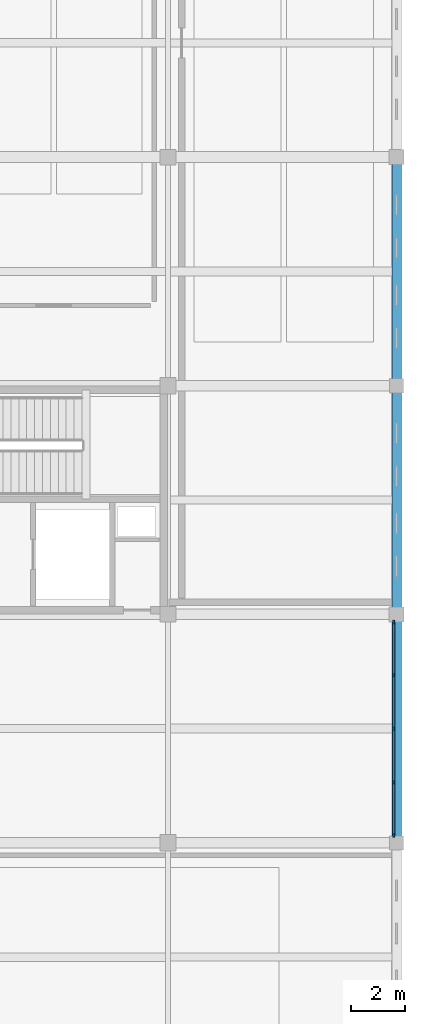
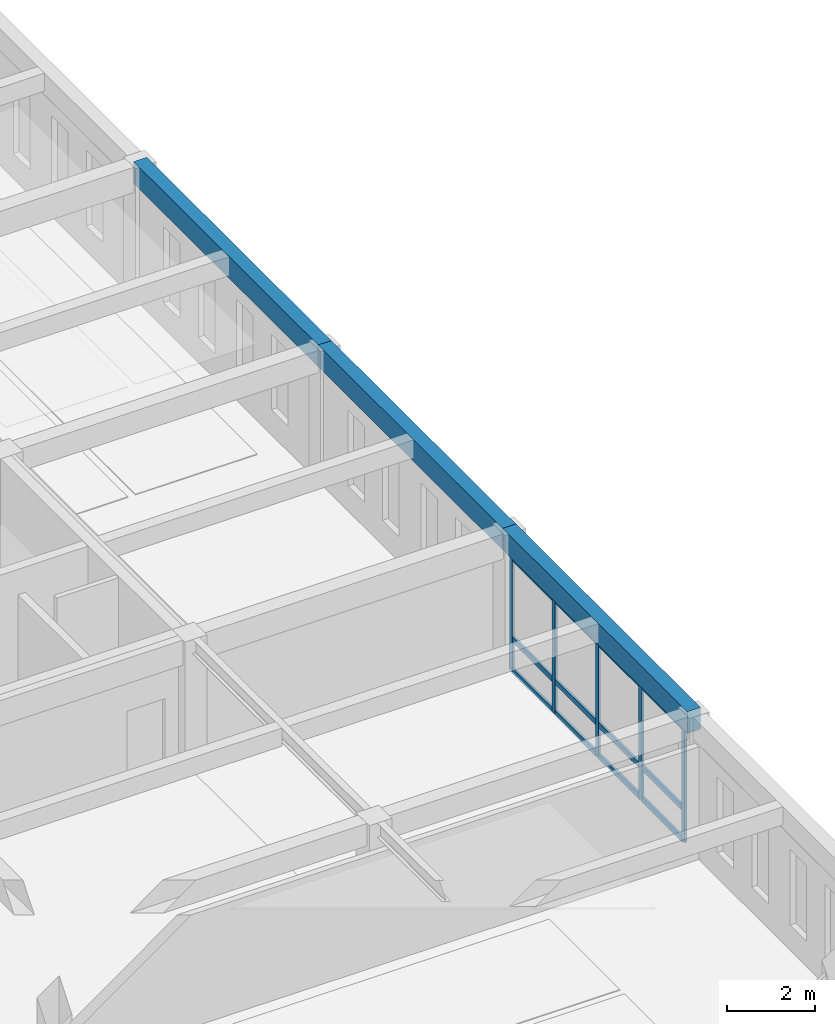
# One storey, part 8 of 56: 17 members, 3 beams, 1 element without a shape of its own.
"""IFC4 building model written with IfcOpenShell, lengths in metres."""

import ifcopenshell
import ifcopenshell.guid

model = None  # the IFC model being written
_history = None  # IfcOwnerHistory: only IFC2X3 demands one
_inside = {}  # id of a spatial element -> (the spatial element, [elements in it])
_under = {}  # id of a project, library or spatial element -> (it, [spatial elements below it])
_declared = {}  # id of a project -> (the project, [libraries it declares])
_typed = {}  # id of a type object -> (the type object, [elements of that type])
_made_of = {}  # id of a material, layer set ... -> (it, [elements and type objects made of it])


def new_model(schema):
    """Start an empty IFC model of exactly this schema.

    Asked for "IFC4X3", IfcOpenShell would pick the latest addendum, in which some entities
    have other attributes; the version numbers below select the first issue.
    IFC2X3 requires an IfcOwnerHistory on every rooted entity: one is made here for all.
    """
    global model, _history
    if schema == "IFC4X3":
        model = ifcopenshell.file(schema_version=(4, 3, 0, 0))
    else:
        model = ifcopenshell.file(schema=schema)
    _inside.clear()
    _under.clear()
    _declared.clear()
    _typed.clear()
    _made_of.clear()
    _history = None
    if model.schema == "IFC2X3":
        org = make("IfcOrganization", Name="unknown")
        user = make(
            "IfcPersonAndOrganization",
            ThePerson=make("IfcPerson", FamilyName="unknown"),
            TheOrganization=org,
        )
        app = make(
            "IfcApplication",
            ApplicationDeveloper=org,
            Version="unknown",
            ApplicationFullName="unknown",
            ApplicationIdentifier="unknown",
        )
        _history = make(
            "IfcOwnerHistory",
            OwningUser=user,
            OwningApplication=app,
            ChangeAction="ADDED",
            CreationDate=0,
        )
    return model


def make(cls, **values):
    """One entity of the class cls with the attributes given. An attribute that is None is left unset."""
    return model.create_entity(
        cls, **{name: value for name, value in values.items() if value is not None}
    )


def rooted(cls, **values):
    """An entity with a GlobalId (a new one), such as an element, a storey or a relation."""
    return make(cls, GlobalId=ifcopenshell.guid.new(), OwnerHistory=_history, **values)


def si_unit(unit_type, name, prefix=None):
    """IfcSIUnit, for example si_unit("LENGTHUNIT", "METRE", prefix="MILLI")."""
    return make("IfcSIUnit", UnitType=unit_type, Prefix=prefix, Name=name)


def assignment(units):
    """IfcUnitAssignment: the units of a project."""
    return None if units is None else make("IfcUnitAssignment", Units=units)


def point(xyz):
    """IfcCartesianPoint."""
    return None if xyz is None else make("IfcCartesianPoint", Coordinates=xyz)


def direction(xyz):
    """IfcDirection."""
    return None if xyz is None else make("IfcDirection", DirectionRatios=xyz)


def frame(location, z_axis=None, x_axis=None):
    """IfcAxis2Placement3D, a coordinate frame: its origin and axes. An axis left out is left unset."""
    return make(
        "IfcAxis2Placement3D",
        Location=point(location),
        Axis=direction(z_axis),
        RefDirection=direction(x_axis),
    )


def frame_2d(location, x_axis=None):
    """IfcAxis2Placement2D, a coordinate frame in the plane: its origin and x axis."""
    return make(
        "IfcAxis2Placement2D", Location=point(location), RefDirection=direction(x_axis)
    )


def origin():
    """The frame at (0, 0, 0) with its axes left unset."""
    return frame((0.0, 0.0, 0.0))


def origin_2d():
    """The frame at (0, 0) in the plane with its x axis left unset."""
    return frame_2d((0.0, 0.0))


def place(relative_to, where):
    """IfcLocalPlacement: puts the frame where relative to a parent placement (None: the world)."""
    return make(
        "IfcLocalPlacement", PlacementRelTo=relative_to, RelativePlacement=where
    )


def context(
    kind, dimensions, precision=None, world=None, true_north=None, identifier=None
):
    """IfcGeometricRepresentationContext, for example the 3D "Model" context."""
    return make(
        "IfcGeometricRepresentationContext",
        ContextIdentifier=identifier,
        ContextType=kind,
        CoordinateSpaceDimension=dimensions,
        Precision=precision,
        WorldCoordinateSystem=world,
        TrueNorth=true_north,
    )


def subcontext(parent, identifier, kind, view, scale=None):
    """IfcGeometricRepresentationSubContext, for example "Body" below "Model"."""
    return make(
        "IfcGeometricRepresentationSubContext",
        ContextIdentifier=identifier,
        ContextType=kind,
        ParentContext=parent,
        TargetScale=scale,
        TargetView=view,
    )


def project(units=None, contexts=None):
    """IfcProject with its units and contexts."""
    return rooted(
        "IfcProject",
        Name="project",
        RepresentationContexts=contexts,
        UnitsInContext=assignment(units),
    )


def spatial(cls, under=None, at=None, **own):
    """A site, building, storey or space (cls), placed at a placement, below another one or the project."""
    s = rooted(cls, ObjectPlacement=at, **own)
    if under is not None:
        _under.setdefault(under.id(), (under, []))[1].append(s)
    return s


def profile(cls, at=None, kind="AREA", **sizes):
    """A parametric profile (cls). Its sizes go by their IFC names, for example OverallWidth=200.0."""
    return make(cls, ProfileType=kind, Position=at, **sizes)


def rectangle(**sizes):
    """IfcRectangleProfileDef."""
    return profile("IfcRectangleProfileDef", **sizes)


def extrude(swept, where, along, depth):
    """IfcExtrudedAreaSolid: the profile swept, set in the frame where, extruded along a direction by depth."""
    return make(
        "IfcExtrudedAreaSolid",
        SweptArea=swept,
        Position=where,
        ExtrudedDirection=direction(along),
        Depth=depth,
    )


def shape(context_of_items, identifier, shape_type, items):
    """IfcShapeRepresentation: the items that make up one representation, for example the "Body"."""
    return make(
        "IfcShapeRepresentation",
        ContextOfItems=context_of_items,
        RepresentationIdentifier=identifier,
        RepresentationType=shape_type,
        Items=items,
    )


def material(Name=None, Category=None):
    """IfcMaterial."""
    return make("IfcMaterial", Name=Name, Category=Category)


def layer(
    of_material, thickness, ventilated=None, Name=None, Category=None, Priority=None
):
    """IfcMaterialLayer: one layer of a wall or slab, of a material (None: an air gap)."""
    return make(
        "IfcMaterialLayer",
        Material=of_material,
        LayerThickness=thickness,
        IsVentilated=ventilated,
        Name=Name,
        Category=Category,
        Priority=Priority,
    )


def layer_set(layers, Name=None):
    """IfcMaterialLayerSet."""
    return make("IfcMaterialLayerSet", MaterialLayers=layers, LayerSetName=Name)


def material_profile(
    of_material, cross_section, Name=None, Category=None, Priority=None
):
    """IfcMaterialProfile: a cross section and its material."""
    return make(
        "IfcMaterialProfile",
        Name=Name,
        Material=of_material,
        Profile=cross_section,
        Priority=Priority,
        Category=Category,
    )


def profile_set(profiles, Name=None, composite=None):
    """IfcMaterialProfileSet."""
    return make(
        "IfcMaterialProfileSet",
        Name=Name,
        MaterialProfiles=profiles,
        CompositeProfile=composite,
    )


def made_of(thing, what):
    """Note that an element or type object is made of a material, layer set ...; save() writes the relation."""
    if what is not None:
        _made_of.setdefault(what.id(), (what, []))[1].append(thing)
    return thing


def type_object(cls, material=None, **own):
    """A type object (cls), such as IfcWallType, which elements share."""
    return made_of(rooted(cls, **own), material)


def element(
    cls,
    number,
    at=None,
    inside=None,
    cuts=None,
    type_object=None,
    material=None,
    context=None,
    identifier="Body",
    shape_type=None,
    held_by="IfcProductDefinitionShape",
    body=None,
    shapes=None,
    **own,
):
    """One element of the class cls, such as IfcWall. Its Tag is "e" and its number.

    at: its placement. inside: the storey or other place that contains it. cuts: it is an
    opening in that element (IfcRelVoidsElement). A single representation is given by context,
    identifier, shape_type and body (its items); several are given by shapes. held_by: the class
    of the entity that holds the representations. save() writes the other relations.
    """
    e = rooted(cls, Tag="e%d" % number, ObjectPlacement=at, **own)
    if body is not None:
        shapes = [shape(context, identifier, shape_type, body)]
    if shapes is not None:
        e.Representation = make(held_by, Representations=shapes)
    if inside is not None:
        _inside.setdefault(inside.id(), (inside, []))[1].append(e)
    if cuts is not None:
        rooted(
            "IfcRelVoidsElement", RelatingBuildingElement=cuts, RelatedOpeningElement=e
        )
    if type_object is not None:
        _typed.setdefault(type_object.id(), (type_object, []))[1].append(e)
    return made_of(e, material)


def aggregate(whole, parts):
    """IfcRelAggregates: a whole, such as a stair, and the parts it consists of."""
    return rooted("IfcRelAggregates", RelatingObject=whole, RelatedObjects=parts)


def save(model, path):
    """Write the relations noted so far, then the file.

    IfcRelAggregates (storeys below a building ...), IfcRelContainedInSpatialStructure (elements
    in a storey), IfcRelDefinesByType, IfcRelAssociatesMaterial and IfcRelDeclares: one each for
    every whole, place, type object, material and project.
    """
    for whole, parts in _under.values():
        aggregate(whole, parts)
    for where, things in _inside.values():
        rooted(
            "IfcRelContainedInSpatialStructure",
            RelatedElements=things,
            RelatingStructure=where,
        )
    for kind, things in _typed.values():
        rooted("IfcRelDefinesByType", RelatedObjects=things, RelatingType=kind)
    for what, things in _made_of.values():
        rooted("IfcRelAssociatesMaterial", RelatedObjects=things, RelatingMaterial=what)
    for by, libraries in _declared.values():
        rooted("IfcRelDeclares", RelatingContext=by, RelatedDefinitions=libraries)
    model.write(path)


model = new_model("IFC4")

# Units and contexts
model_context = context("Model", 3, precision=1e-05, world=origin(), true_north=direction((0.0, 1.0)))
body_context = subcontext(model_context, "Body", "Model", "MODEL_VIEW")
ifc_project = project(units=[si_unit("LENGTHUNIT", "METRE"), si_unit("AREAUNIT", "SQUARE_METRE"), si_unit("VOLUMEUNIT", "CUBIC_METRE"), si_unit("PLANEANGLEUNIT", "RADIAN"), si_unit("MASSUNIT", "GRAM", prefix="KILO")], contexts=[model_context])

# Site, building, storey
site_placement = place(None, origin())
site = spatial("IfcSite", under=ifc_project, at=site_placement, CompositionType="ELEMENT")
building_placement = place(site_placement, origin())
building = spatial("IfcBuilding", under=site, at=building_placement, Name="Kveldsbrygga Polytechnic", CompositionType="ELEMENT")
storey_placement = place(building_placement, frame((0.0, 0.0, 18.02001953125)))
storey = spatial("IfcBuildingStorey", under=building, at=storey_placement, Name="L04", CompositionType="ELEMENT", Elevation=18.02001953125)

# Beams
ifc_material_1 = material(Name="Concrete C35/45", Category="concrete")
ifc_material_profile_1 = material_profile(ifc_material_1, rectangle(XDim=0.35009765625, YDim=0.60009765625, at=origin_2d()), Name="RC 350x600")
ifc_profile_set_1 = profile_set([ifc_material_profile_1], Name="Concrete C35/45")
beam_type = type_object("IfcBeamType", Name="BM-SPANDREL-600", PredefinedType="T_BEAM", material=ifc_profile_set_1)
beam_placement = place(storey_placement, frame((168.0, 25.199951171875, 3.47998046875), z_axis=(0.0, 1.0, 0.0), x_axis=(-1.0, 0.0, 0.0)))
element("IfcBeam", 1, at=beam_placement, inside=storey, type_object=beam_type, Name="Primary Beam BMY-L04-20-03to04", PredefinedType="T_BEAM", context=body_context, shape_type="SweptSolid", body=[
    extrude(rectangle(XDim=0.35009765625, YDim=0.60009765625, at=origin_2d()), origin(), (0.0, 0.0, 1.0), 8.400146484375),
])
for number, where, z_axis, x_axis, name in (
    (2, (168.0, 33.60009765625, 3.47998046875), (0.0, 1.0, 0.0), (-1.0, 0.0, 0.0), "Primary Beam BMY-L04-20-04to05"),
    (3, (168.0, 42.0, 3.47998046875), (0.0, 1.0, 0.0), (-1.0, 0.0, 0.0), "Primary Beam BMY-L04-20-05to06"),
):
    element("IfcBeam", number, at=place(storey_placement, frame(where, z_axis=z_axis, x_axis=x_axis)), inside=storey, type_object=beam_type, Name=name, PredefinedType="T_BEAM", context=body_context, shape_type="SweptSolid", body=[
        extrude(rectangle(XDim=0.35009765625, YDim=0.60009765625, at=origin_2d()), origin(), (0.0, 0.0, 1.0), 8.39990234375),
    ])

# Curtain wall, members
ifc_material_2 = material(Name="Anodised aluminium AW-6060", Category="aluminium")
ifc_layer = layer(ifc_material_2, 0.199951171875)
ifc_layer_set = layer_set([ifc_layer], Name="Anodised aluminium AW-6060")
curtain_wall_type = type_object("IfcCurtainWallType", Name="CW-LANC-E", PredefinedType="USERDEFINED", material=ifc_layer_set)
curtain_wall_placement = place(storey_placement, origin())
curtain_wall = element("IfcCurtainWall", 4, at=curtain_wall_placement, inside=storey, type_object=curtain_wall_type, Name="Curtain Wall CW-L04-Y-20-03", ObjectType="UNITISED CURTAIN WALL", PredefinedType="USERDEFINED")
ifc_material_profile_2 = material_profile(ifc_material_2, rectangle(XDim=0.06005859375, YDim=0.139892578125, at=origin_2d()), Name="ALU 60x140")
ifc_profile_set_2 = profile_set([ifc_material_profile_2], Name="Anodised aluminium AW-6060")
member_type_1 = type_object("IfcMemberType", Name="CW-MUL-140", PredefinedType="MULLION", material=ifc_profile_set_2)
member_1_placement = place(storey_placement, frame((167.89990234375, 25.47509765625, 0.0), z_axis=(0.0, 0.0, 1.0), x_axis=(-1.0, 0.0, 0.0)))
member_1 = element("IfcMember", 5, at=member_1_placement, type_object=member_type_1, Name="CW-05 mullion 1", PredefinedType="MULLION", context=body_context, shape_type="SweptSolid", body=[
    extrude(rectangle(XDim=0.06005859375, YDim=0.139892578125, at=origin_2d()), origin(), (0.0, 0.0, 1.0), 3.179931640625),
])
member_2_placement = place(storey_placement, frame((167.89990234375, 27.418701171875, 0.0), z_axis=(0.0, 0.0, 1.0), x_axis=(-1.0, 0.0, 0.0)))
member_2 = element("IfcMember", 6, at=member_2_placement, type_object=member_type_1, Name="CW-05 mullion 2", PredefinedType="MULLION", context=body_context, shape_type="SweptSolid", body=[
    extrude(rectangle(XDim=0.06005859375, YDim=0.139892578125, at=origin_2d()), origin(), (0.0, 0.0, 1.0), 3.179931640625),
])
member_3_placement = place(storey_placement, frame((167.89990234375, 29.392578125, 0.0), z_axis=(0.0, 0.0, 1.0), x_axis=(-1.0, 0.0, 0.0)))
member_3 = element("IfcMember", 7, at=member_3_placement, type_object=member_type_1, Name="CW-05 mullion 3", PredefinedType="MULLION", context=body_context, shape_type="SweptSolid", body=[
    extrude(rectangle(XDim=0.06005859375, YDim=0.139892578125, at=origin_2d()), origin(), (0.0, 0.0, 1.0), 3.179931640625),
])
member_4_placement = place(storey_placement, frame((167.89990234375, 31.3662109375, 0.0), z_axis=(0.0, 0.0, 1.0), x_axis=(-1.0, 0.0, 0.0)))
member_4 = element("IfcMember", 8, at=member_4_placement, type_object=member_type_1, Name="CW-05 mullion 4", PredefinedType="MULLION", context=body_context, shape_type="SweptSolid", body=[
    extrude(rectangle(XDim=0.06005859375, YDim=0.139892578125, at=origin_2d()), origin(), (0.0, 0.0, 1.0), 3.179931640625),
])
member_5_placement = place(storey_placement, frame((167.89990234375, 33.31005859375, 0.0), z_axis=(0.0, 0.0, 1.0), x_axis=(-1.0, 0.0, 0.0)))
member_5 = element("IfcMember", 9, at=member_5_placement, type_object=member_type_1, Name="CW-05 mullion 5", PredefinedType="MULLION", context=body_context, shape_type="SweptSolid", body=[
    extrude(rectangle(XDim=0.06005859375, YDim=0.139892578125, at=origin_2d()), origin(), (0.0, 0.0, 1.0), 3.179931640625),
])
ifc_material_profile_3 = material_profile(ifc_material_2, rectangle(XDim=0.06005859375, YDim=0.14990234375, at=origin_2d()), Name="ALU 60x150")
ifc_profile_set_3 = profile_set([ifc_material_profile_3], Name="Anodised aluminium AW-6060")
member_type_2 = type_object("IfcMemberType", Name="CW-TRN-150", PredefinedType="USERDEFINED", material=ifc_profile_set_3)
member_6_placement = place(storey_placement, frame((167.89990234375, 25.5048828125, 0.030029296875), z_axis=(0.0, 1.0, 0.0), x_axis=(-1.0, 0.0, 0.0)))
member_6 = element("IfcMember", 10, at=member_6_placement, type_object=member_type_2, Name="CW-05 transom 1.1", ObjectType="TRANSOM", PredefinedType="USERDEFINED", context=body_context, shape_type="SweptSolid", body=[
    extrude(rectangle(XDim=0.06005859375, YDim=0.14990234375, at=origin_2d()), origin(), (0.0, 0.0, 1.0), 1.8837890625),
])
member_7_placement = place(storey_placement, frame((167.89990234375, 25.5048828125, 0.89990234375), z_axis=(0.0, 1.0, 0.0), x_axis=(-1.0, 0.0, 0.0)))
member_7 = element("IfcMember", 11, at=member_7_placement, type_object=member_type_2, Name="CW-05 transom 1.2", ObjectType="TRANSOM", PredefinedType="USERDEFINED", context=body_context, shape_type="SweptSolid", body=[
    extrude(rectangle(XDim=0.06005859375, YDim=0.14990234375, at=origin_2d()), origin(), (0.0, 0.0, 1.0), 1.8837890625),
])
member_8_placement = place(storey_placement, frame((167.89990234375, 25.5048828125, 3.14990234375), z_axis=(0.0, 1.0, 0.0), x_axis=(-1.0, 0.0, 0.0)))
member_8 = element("IfcMember", 12, at=member_8_placement, type_object=member_type_2, Name="CW-05 transom 1.3", ObjectType="TRANSOM", PredefinedType="USERDEFINED", context=body_context, shape_type="SweptSolid", body=[
    extrude(rectangle(XDim=0.06005859375, YDim=0.14990234375, at=origin_2d()), origin(), (0.0, 0.0, 1.0), 1.8837890625),
])
member_9_placement = place(storey_placement, frame((167.89990234375, 27.44873046875, 0.030029296875), z_axis=(0.0, 1.0, 0.0), x_axis=(-1.0, 0.0, 0.0)))
member_9 = element("IfcMember", 13, at=member_9_placement, type_object=member_type_2, Name="CW-05 transom 2.1", ObjectType="TRANSOM", PredefinedType="USERDEFINED", context=body_context, shape_type="SweptSolid", body=[
    extrude(rectangle(XDim=0.06005859375, YDim=0.14990234375, at=origin_2d()), origin(), (0.0, 0.0, 1.0), 1.913818359375),
])
member_10_placement = place(storey_placement, frame((167.89990234375, 27.44873046875, 0.89990234375), z_axis=(0.0, 1.0, 0.0), x_axis=(-1.0, 0.0, 0.0)))
member_10 = element("IfcMember", 14, at=member_10_placement, type_object=member_type_2, Name="CW-05 transom 2.2", ObjectType="TRANSOM", PredefinedType="USERDEFINED", context=body_context, shape_type="SweptSolid", body=[
    extrude(rectangle(XDim=0.06005859375, YDim=0.14990234375, at=origin_2d()), origin(), (0.0, 0.0, 1.0), 1.913818359375),
])
member_11_placement = place(storey_placement, frame((167.89990234375, 27.44873046875, 3.14990234375), z_axis=(0.0, 1.0, 0.0), x_axis=(-1.0, 0.0, 0.0)))
member_11 = element("IfcMember", 15, at=member_11_placement, type_object=member_type_2, Name="CW-05 transom 2.3", ObjectType="TRANSOM", PredefinedType="USERDEFINED", context=body_context, shape_type="SweptSolid", body=[
    extrude(rectangle(XDim=0.06005859375, YDim=0.14990234375, at=origin_2d()), origin(), (0.0, 0.0, 1.0), 1.913818359375),
])
member_12_placement = place(storey_placement, frame((167.89990234375, 29.422607421875, 0.030029296875), z_axis=(0.0, 1.0, 0.0), x_axis=(-1.0, 0.0, 0.0)))
member_12 = element("IfcMember", 16, at=member_12_placement, type_object=member_type_2, Name="CW-05 transom 3.1", ObjectType="TRANSOM", PredefinedType="USERDEFINED", context=body_context, shape_type="SweptSolid", body=[
    extrude(rectangle(XDim=0.06005859375, YDim=0.14990234375, at=origin_2d()), origin(), (0.0, 0.0, 1.0), 1.91357421875),
])
member_13_placement = place(storey_placement, frame((167.89990234375, 29.422607421875, 0.89990234375), z_axis=(0.0, 1.0, 0.0), x_axis=(-1.0, 0.0, 0.0)))
member_13 = element("IfcMember", 17, at=member_13_placement, type_object=member_type_2, Name="CW-05 transom 3.2", ObjectType="TRANSOM", PredefinedType="USERDEFINED", context=body_context, shape_type="SweptSolid", body=[
    extrude(rectangle(XDim=0.06005859375, YDim=0.14990234375, at=origin_2d()), origin(), (0.0, 0.0, 1.0), 1.91357421875),
])
member_14_placement = place(storey_placement, frame((167.89990234375, 29.422607421875, 3.14990234375), z_axis=(0.0, 1.0, 0.0), x_axis=(-1.0, 0.0, 0.0)))
member_14 = element("IfcMember", 18, at=member_14_placement, type_object=member_type_2, Name="CW-05 transom 3.3", ObjectType="TRANSOM", PredefinedType="USERDEFINED", context=body_context, shape_type="SweptSolid", body=[
    extrude(rectangle(XDim=0.06005859375, YDim=0.14990234375, at=origin_2d()), origin(), (0.0, 0.0, 1.0), 1.91357421875),
])
member_15_placement = place(storey_placement, frame((167.89990234375, 31.396240234375, 0.030029296875), z_axis=(0.0, 1.0, 0.0), x_axis=(-1.0, 0.0, 0.0)))
member_15 = element("IfcMember", 19, at=member_15_placement, type_object=member_type_2, Name="CW-05 transom 4.1", ObjectType="TRANSOM", PredefinedType="USERDEFINED", context=body_context, shape_type="SweptSolid", body=[
    extrude(rectangle(XDim=0.06005859375, YDim=0.14990234375, at=origin_2d()), origin(), (0.0, 0.0, 1.0), 1.8837890625),
])
member_16_placement = place(storey_placement, frame((167.89990234375, 31.396240234375, 0.89990234375), z_axis=(0.0, 1.0, 0.0), x_axis=(-1.0, 0.0, 0.0)))
member_16 = element("IfcMember", 20, at=member_16_placement, type_object=member_type_2, Name="CW-05 transom 4.2", ObjectType="TRANSOM", PredefinedType="USERDEFINED", context=body_context, shape_type="SweptSolid", body=[
    extrude(rectangle(XDim=0.06005859375, YDim=0.14990234375, at=origin_2d()), origin(), (0.0, 0.0, 1.0), 1.8837890625),
])
member_17_placement = place(storey_placement, frame((167.89990234375, 31.396240234375, 3.14990234375), z_axis=(0.0, 1.0, 0.0), x_axis=(-1.0, 0.0, 0.0)))
member_17 = element("IfcMember", 21, at=member_17_placement, type_object=member_type_2, Name="CW-05 transom 4.3", ObjectType="TRANSOM", PredefinedType="USERDEFINED", context=body_context, shape_type="SweptSolid", body=[
    extrude(rectangle(XDim=0.06005859375, YDim=0.14990234375, at=origin_2d()), origin(), (0.0, 0.0, 1.0), 1.8837890625),
])
aggregate(curtain_wall, [member_1, member_2, member_3, member_4, member_5, member_6, member_7, member_8, member_9, member_10, member_11, member_12, member_13, member_14, member_15, member_16, member_17])

save(model, "model.ifc")
